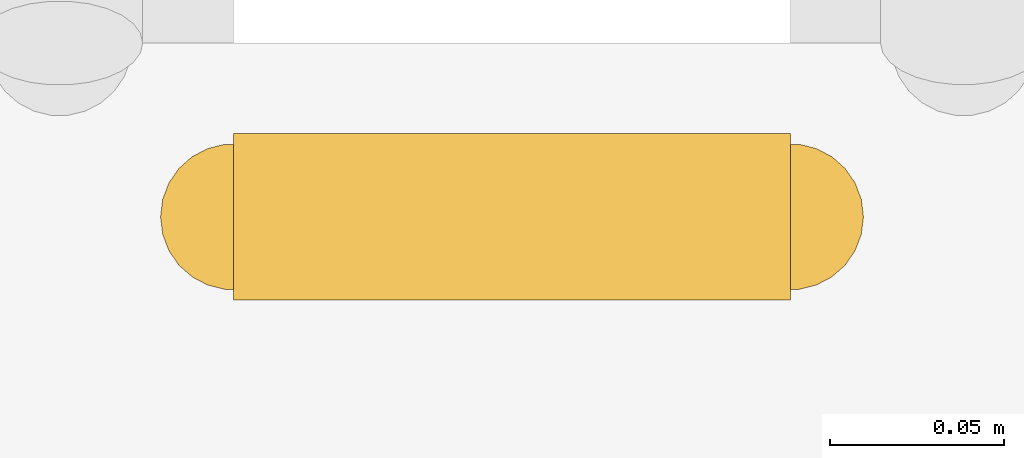
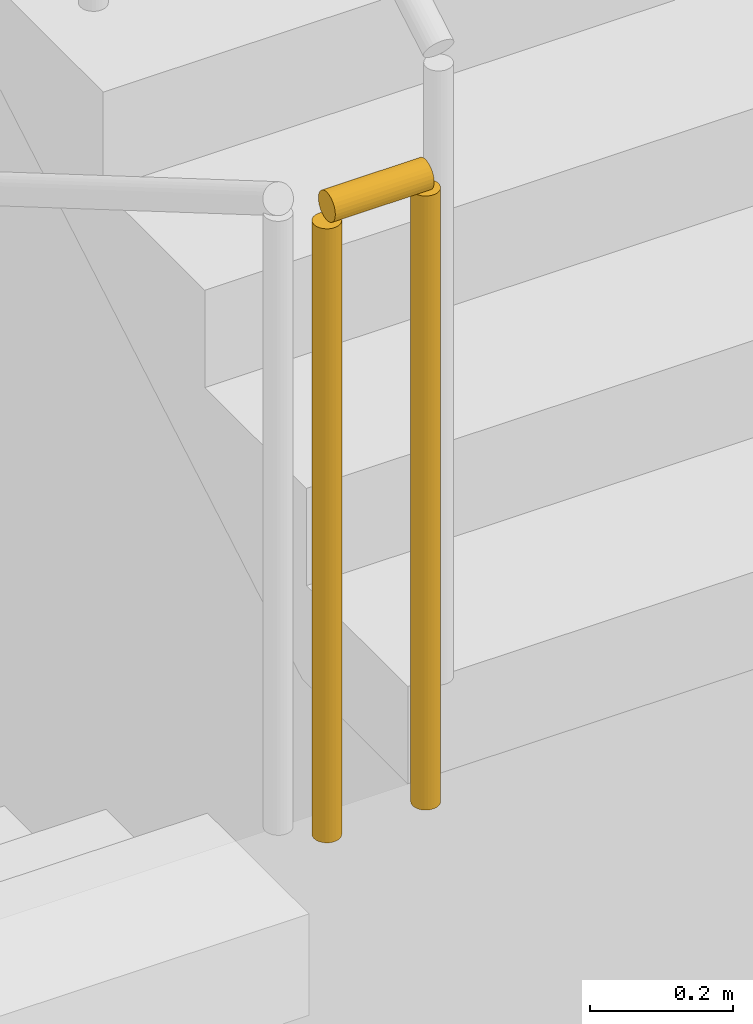
# One storey, part 11 of 14: 1 railing.
"""IFC4 building model written with IfcOpenShell, lengths in metres."""

from ifc_helpers import new_model, si_unit, direction, frame, origin, origin_2d, place, context, subcontext, project, spatial, circle, extrude, material, type_object, element, save


model = new_model("IFC4")

# Units and contexts
model_context = context("Model", 3, precision=1e-05, world=origin(), true_north=direction((0.0, 1.0)))
body_context = subcontext(model_context, "Body", "Model", "MODEL_VIEW")
ifc_project = project(units=[si_unit("LENGTHUNIT", "METRE"), si_unit("AREAUNIT", "SQUARE_METRE"), si_unit("VOLUMEUNIT", "CUBIC_METRE"), si_unit("PLANEANGLEUNIT", "RADIAN"), si_unit("MASSUNIT", "GRAM", prefix="KILO")], contexts=[model_context])

# Site, building, storey
site_placement = place(None, origin())
site = spatial("IfcSite", under=ifc_project, at=site_placement, CompositionType="ELEMENT")
building_placement = place(site_placement, origin())
building = spatial("IfcBuilding", under=site, at=building_placement, Name="Kovane Verandah Tower", CompositionType="ELEMENT")
storey_placement = place(building_placement, frame((0.0, 0.0, 21.60009765625)))
storey = spatial("IfcBuildingStorey", under=building, at=storey_placement, Name="L04", CompositionType="ELEMENT", Elevation=21.60009765625)

# Railing
ifc_material = material(Name="Painted Steel Stairwell Guardrail", Category="steel")
railing_type = type_object("IfcRailingType", Name="RL-STGUARD-1120", PredefinedType="GUARDRAIL", material=ifc_material)
railing_placement = place(storey_placement, frame((31.179931640625, 20.85498046875, 3.0)))
element("IfcRailing", 1, at=railing_placement, inside=storey, type_object=railing_type, Name="L04 ST-01 stair guard 2", PredefinedType="GUARDRAIL", context=body_context, shape_type="SweptSolid", body=[
    extrude(circle(Radius=0.02392578125, at=origin_2d()), frame((0.0, 0.0, 1.076171875), z_axis=(1.0, 0.0, 0.0), x_axis=(0.0, 1.0, 0.0)), (0.0, 0.0, 1.0), 0.16015625),
    extrude(circle(Radius=0.02099609375, at=origin_2d()), origin(), (0.0, 0.0, 1.0), 1.052001953125),
    extrude(circle(Radius=0.02099609375, at=origin_2d()), frame((0.16015625, 0.0, 0.0)), (0.0, 0.0, 1.0), 1.052001953125),
])

save(model, "model.ifc")
